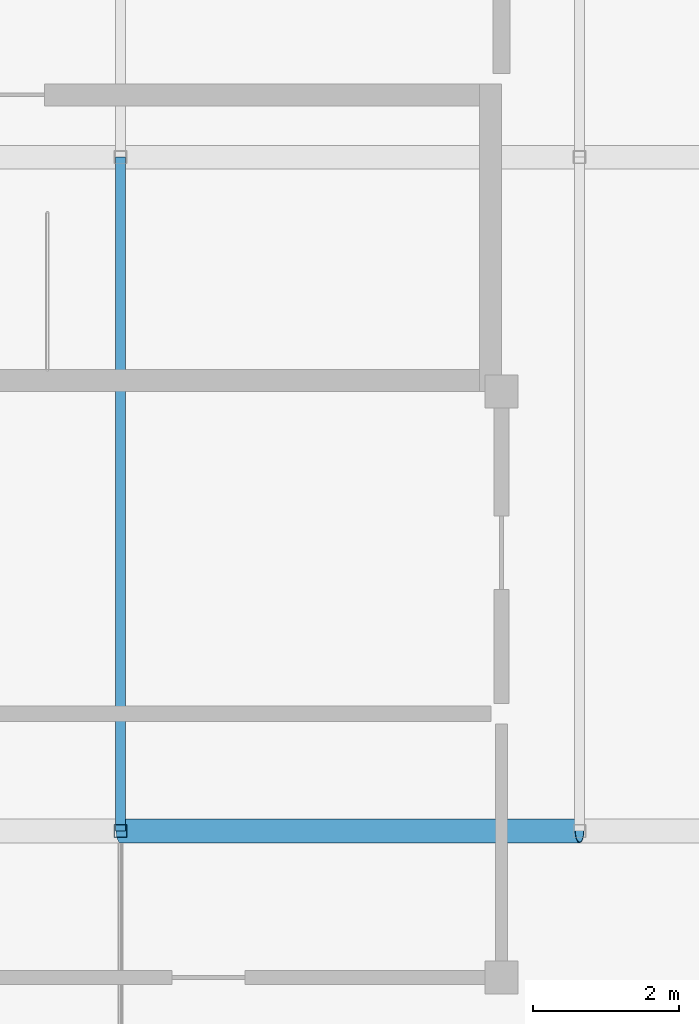
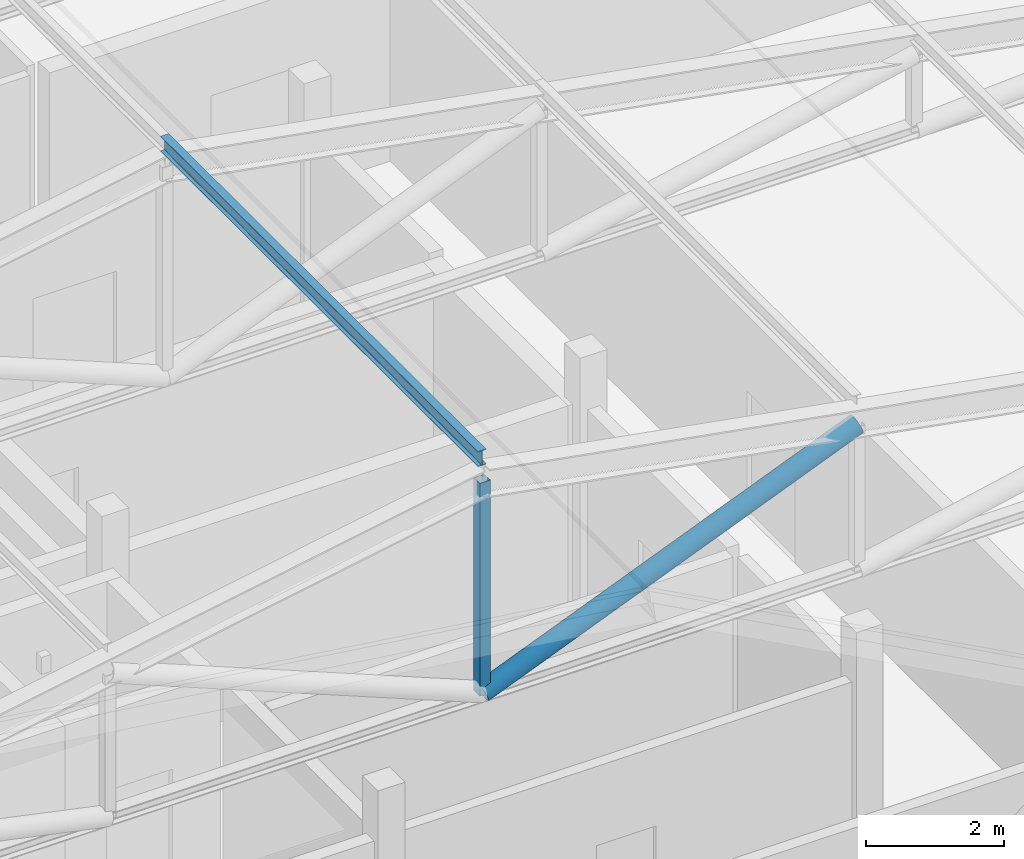
# One storey, part 5 of 24: 3 members.
"""IFC4 building model written with IfcOpenShell, lengths in metres."""

from ifc_helpers import new_model, si_unit, direction, frame, origin, origin_2d, place, context, subcontext, project, spatial, hollow_rectangle, hollow_circle, i_section, extrude, material, material_profile, profile_set, type_object, element, save


model = new_model("IFC4")

# Units and contexts
model_context = context("Model", 3, precision=1e-05, world=origin(), true_north=direction((0.0, 1.0)))
body_context = subcontext(model_context, "Body", "Model", "MODEL_VIEW")
ifc_project = project(units=[si_unit("LENGTHUNIT", "METRE"), si_unit("AREAUNIT", "SQUARE_METRE"), si_unit("VOLUMEUNIT", "CUBIC_METRE"), si_unit("PLANEANGLEUNIT", "RADIAN"), si_unit("MASSUNIT", "GRAM", prefix="KILO")], contexts=[model_context])

# Site, building, storey
site_placement = place(None, origin())
site = spatial("IfcSite", under=ifc_project, at=site_placement, CompositionType="ELEMENT")
building_placement = place(site_placement, origin())
building = spatial("IfcBuilding", under=site, at=building_placement, Name="Vellmiral Cinema and Media Centre", CompositionType="ELEMENT")
storey_placement = place(building_placement, frame((0.0, 0.0, 66.60009765625)))
storey = spatial("IfcBuildingStorey", under=building, at=storey_placement, Name="L16", CompositionType="ELEMENT", Elevation=66.60009765625)

# Members
ifc_material_1 = material(Name="Steel S355", Category="steel")
ifc_material_profile_1 = material_profile(ifc_material_1, i_section(OverallWidth=0.135009765625, OverallDepth=0.27001953125, WebThickness=0.006591796875, FlangeThickness=0.01025390625, FilletRadius=0.014892578125, at=origin_2d()), Name="IPE 270")
ifc_profile_set_1 = profile_set([ifc_material_profile_1], Name="Steel S355")
member_type_1 = type_object("IfcMemberType", Name="PRL-IPE270", PredefinedType="PURLIN", material=ifc_profile_set_1)
member_1_placement = place(storey_placement, frame((142.800048828125, 81.199951171875, 7.984130859375), z_axis=(0.0, 1.0, 0.0), x_axis=(-1.0, 0.0, 0.0)))
element("IfcMember", 1, at=member_1_placement, inside=storey, type_object=member_type_1, Name="Roof Purlin VR-CROWN.3.1", PredefinedType="PURLIN", context=body_context, shape_type="SweptSolid", body=[
    extrude(i_section(OverallWidth=0.135009765625, OverallDepth=0.27001953125, WebThickness=0.006591796875, FlangeThickness=0.01025390625, FilletRadius=0.014892578125, at=origin_2d()), origin(), (0.0, 0.0, 1.0), 9.199951171875),
])
ifc_material_2 = material(Name="Steel S355", Category="steel")
ifc_material_profile_2 = material_profile(ifc_material_2, hollow_circle(Radius=0.161865234375, WallThickness=0.012451171875, at=origin_2d()), Name="CHS 323.9x12.5")
ifc_profile_set_2 = profile_set([ifc_material_profile_2], Name="Steel S355")
member_type_2 = type_object("IfcMemberType", Name="TBR-CHS324", PredefinedType="BRACE", material=ifc_profile_set_2)
member_2_placement = place(storey_placement, frame((142.800048828125, 81.199951171875, 3.849853515625), z_axis=(0.926449270601, 0.0, 0.376419644815), x_axis=(0.0, 1.0, 0.0)))
element("IfcMember", 2, at=member_2_placement, inside=storey, type_object=member_type_2, Name="Roof Truss TR-10.1 Diagonal 4", PredefinedType="BRACE", context=body_context, shape_type="SweptSolid", body=[
    extrude(hollow_circle(Radius=0.161865234375, WallThickness=0.012451171875, at=origin_2d()), origin(), (0.0, 0.0, 1.0), 6.76416015625),
])
ifc_material_3 = material(Name="Steel S355", Category="steel")
ifc_material_profile_3 = material_profile(ifc_material_3, hollow_rectangle(XDim=0.179931640625, YDim=0.179931640625, WallThickness=0.010009765625, at=origin_2d()), Name="SHS 180x180x10.0")
ifc_profile_set_3 = profile_set([ifc_material_profile_3], Name="Steel S355")
member_type_3 = type_object("IfcMemberType", Name="TBR-SHS180", PredefinedType="BRACE", material=ifc_profile_set_3)
member_3_placement = place(storey_placement, frame((142.800048828125, 81.199951171875, 3.849853515625), z_axis=(0.0, 0.0, 1.0), x_axis=(1.0, 0.0, 0.0)))
element("IfcMember", 3, at=member_3_placement, inside=storey, type_object=member_type_3, Name="Roof Truss TR-10.1 Post 3", PredefinedType="BRACE", context=body_context, shape_type="SweptSolid", body=[
    extrude(hollow_rectangle(XDim=0.179931640625, YDim=0.179931640625, WallThickness=0.010009765625, at=origin_2d()), origin(), (0.0, 0.0, 1.0), 3.764404296875),
])

save(model, "model.ifc")
